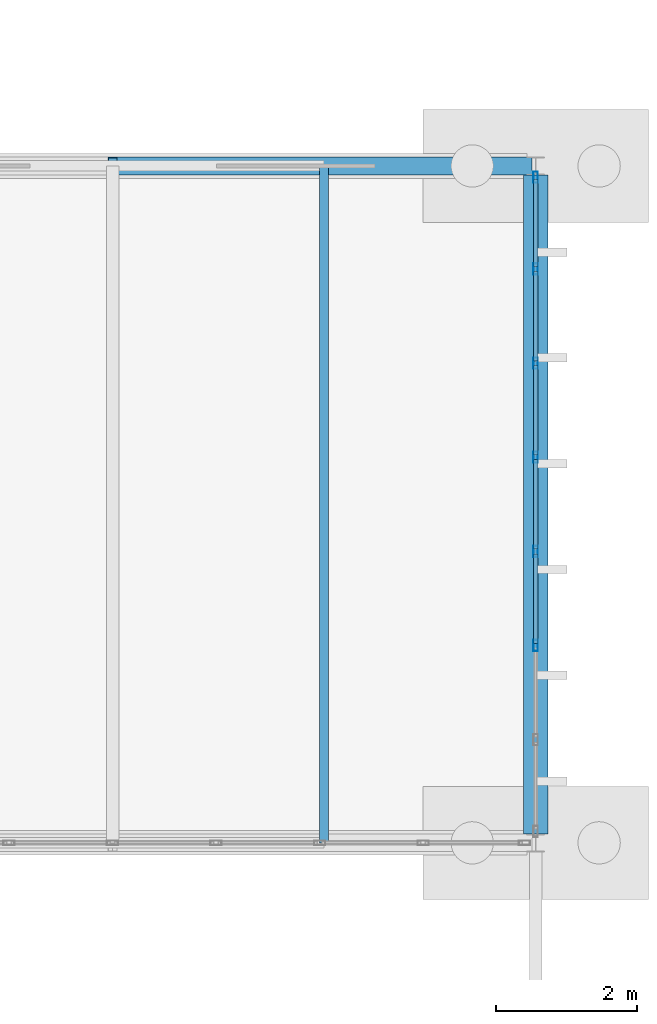
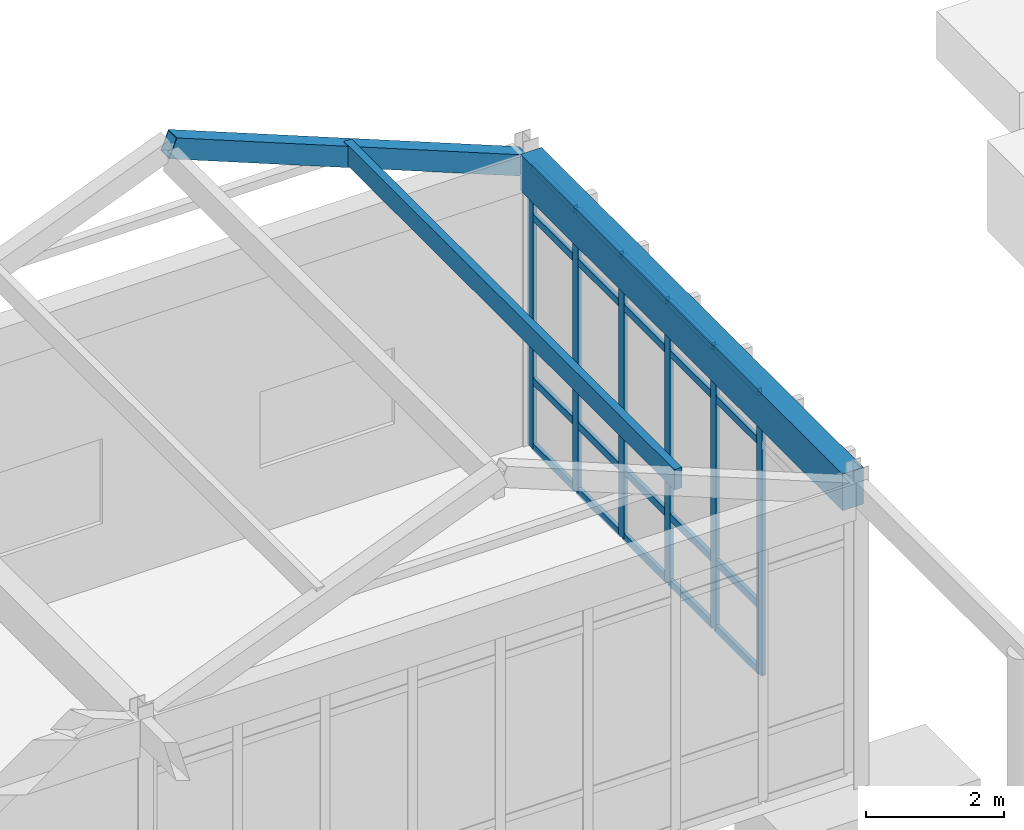
# One storey, part 71 of 188: 28 members, 1 beam, 1 element without a shape of its own.
"""IFC4 building model written with IfcOpenShell, lengths in metres."""

from ifc_helpers import new_model, si_unit, direction, frame, origin, origin_2d, place, context, subcontext, project, spatial, rectangle, hollow_rectangle, extrude, material, layer, layer_set, material_profile, profile_set, type_object, element, aggregate, save


model = new_model("IFC4")

# Units and contexts
model_context = context("Model", 3, precision=1e-05, world=origin(), true_north=direction((0.0, 1.0)))
body_context = subcontext(model_context, "Body", "Model", "MODEL_VIEW")
ifc_project = project(units=[si_unit("LENGTHUNIT", "METRE"), si_unit("AREAUNIT", "SQUARE_METRE"), si_unit("VOLUMEUNIT", "CUBIC_METRE"), si_unit("PLANEANGLEUNIT", "RADIAN"), si_unit("MASSUNIT", "GRAM", prefix="KILO")], contexts=[model_context])

# Site, building, storey
site_placement = place(None, origin())
site = spatial("IfcSite", under=ifc_project, at=site_placement, CompositionType="ELEMENT")
building_placement = place(site_placement, origin())
building = spatial("IfcBuilding", under=site, at=building_placement, Name="Pandanus Reach Market Hall", CompositionType="ELEMENT")
storey_placement = place(building_placement, origin())
storey = spatial("IfcBuildingStorey", under=building, at=storey_placement, Name="L00", CompositionType="ELEMENT", Elevation=0.0)

# Beam
ifc_material_1 = material(Name="Concrete N40 (40 MPa)", Category="concrete")
ifc_material_profile_1 = material_profile(ifc_material_1, rectangle(XDim=0.35009765625, YDim=0.64990234375, at=origin_2d()), Name="RC350x650", Category="LoadBearing")
ifc_profile_set_1 = profile_set([ifc_material_profile_1], Name="Concrete N40 (40 MPa)")
beam_type = type_object("IfcBeamType", Name="BM-RC350-E", PredefinedType="SPANDREL", material=ifc_profile_set_1)
beam_placement = place(storey_placement, frame((36.0, 76.925048828125, 4.8798828125), z_axis=(0.0, 1.0, 0.0), x_axis=(-1.0, 0.0, 0.0)))
element("IfcBeam", 1, at=beam_placement, inside=storey, type_object=beam_type, Name="Framing beam BM-RC350-E L00.1179", PredefinedType="SPANDREL", context=body_context, shape_type="SweptSolid", body=[
    extrude(rectangle(XDim=0.35009765625, YDim=0.64990234375, at=origin_2d()), origin(), (0.0, 0.0, 1.0), 9.349853515625),
])

# Curtain wall, members
ifc_material_2 = material(Name="Bronze anodised aluminium and low-E glass", Category="aluminium")
ifc_layer = layer(ifc_material_2, 0.159912109375, Name="CW-08")
ifc_layer_set = layer_set([ifc_layer], Name="Bronze anodised aluminium and low-E glass")
curtain_wall_type = type_object("IfcCurtainWallType", Name="CW-08", PredefinedType="NOTDEFINED", material=ifc_layer_set)
curtain_wall_placement = place(storey_placement, origin())
curtain_wall = element("IfcCurtainWall", 2, at=curtain_wall_placement, inside=storey, type_object=curtain_wall_type, Name="Glazed curtain wall CW-08 CW-0046", PredefinedType="NOTDEFINED")
ifc_material_3 = material(Name="Bronze anodised aluminium", Category="aluminium")
ifc_material_profile_2 = material_profile(ifc_material_3, hollow_rectangle(XDim=0.06494140625, YDim=0.159912109375, WallThickness=0.00390625, at=origin_2d()), Name="ALU65x160", Category="LoadBearing")
ifc_profile_set_2 = profile_set([ifc_material_profile_2], Name="Bronze anodised aluminium")
member_type_1 = type_object("IfcMemberType", Name="CW-M1", PredefinedType="MULLION", material=ifc_profile_set_2)
member_1_placement = place(storey_placement, frame((36.0, 79.59716796875, 0.0), z_axis=(0.0, 0.0, 1.0), x_axis=(-1.0, 0.0, 0.0)))
member_1 = element("IfcMember", 3, at=member_1_placement, type_object=member_type_1, Name="CW-08 mullion 3", PredefinedType="MULLION", context=body_context, shape_type="SweptSolid", body=[
    extrude(hollow_rectangle(XDim=0.06494140625, YDim=0.159912109375, WallThickness=0.00390625, at=origin_2d()), origin(), (0.0, 0.0, 1.0), 5.0),
])
member_2_placement = place(storey_placement, frame((36.0, 80.932373046875, 0.0), z_axis=(0.0, 0.0, 1.0), x_axis=(-1.0, 0.0, 0.0)))
member_2 = element("IfcMember", 4, at=member_2_placement, type_object=member_type_1, Name="CW-08 mullion 4", PredefinedType="MULLION", context=body_context, shape_type="SweptSolid", body=[
    extrude(hollow_rectangle(XDim=0.06494140625, YDim=0.159912109375, WallThickness=0.00390625, at=origin_2d()), origin(), (0.0, 0.0, 1.0), 5.0),
])
member_3_placement = place(storey_placement, frame((36.0, 82.267578125, 0.0), z_axis=(0.0, 0.0, 1.0), x_axis=(-1.0, 0.0, 0.0)))
member_3 = element("IfcMember", 5, at=member_3_placement, type_object=member_type_1, Name="CW-08 mullion 5", PredefinedType="MULLION", context=body_context, shape_type="SweptSolid", body=[
    extrude(hollow_rectangle(XDim=0.06494140625, YDim=0.159912109375, WallThickness=0.00390625, at=origin_2d()), origin(), (0.0, 0.0, 1.0), 5.0),
])
member_4_placement = place(storey_placement, frame((36.0, 83.602783203125, 0.0), z_axis=(0.0, 0.0, 1.0), x_axis=(-1.0, 0.0, 0.0)))
member_4 = element("IfcMember", 6, at=member_4_placement, type_object=member_type_1, Name="CW-08 mullion 6", PredefinedType="MULLION", context=body_context, shape_type="SweptSolid", body=[
    extrude(hollow_rectangle(XDim=0.06494140625, YDim=0.159912109375, WallThickness=0.00390625, at=origin_2d()), origin(), (0.0, 0.0, 1.0), 5.0),
])
member_5_placement = place(storey_placement, frame((36.0, 84.937744140625, 0.0), z_axis=(0.0, 0.0, 1.0), x_axis=(-1.0, 0.0, 0.0)))
member_5 = element("IfcMember", 7, at=member_5_placement, type_object=member_type_1, Name="CW-08 mullion 7", PredefinedType="MULLION", context=body_context, shape_type="SweptSolid", body=[
    extrude(hollow_rectangle(XDim=0.06494140625, YDim=0.159912109375, WallThickness=0.00390625, at=origin_2d()), origin(), (0.0, 0.0, 1.0), 5.0),
])
member_6_placement = place(storey_placement, frame((36.0, 86.240478515625, 0.0), z_axis=(0.0, 0.0, 1.0), x_axis=(-1.0, 0.0, 0.0)))
member_6 = element("IfcMember", 8, at=member_6_placement, type_object=member_type_1, Name="CW-08 mullion 8", PredefinedType="MULLION", context=body_context, shape_type="SweptSolid", body=[
    extrude(hollow_rectangle(XDim=0.06494140625, YDim=0.159912109375, WallThickness=0.00390625, at=origin_2d()), origin(), (0.0, 0.0, 1.0), 5.0),
])
ifc_material_profile_3 = material_profile(ifc_material_3, hollow_rectangle(XDim=0.06494140625, YDim=0.1298828125, WallThickness=0.00390625, at=origin_2d()), Name="ALU65x130", Category="LoadBearing")
ifc_profile_set_3 = profile_set([ifc_material_profile_3], Name="Bronze anodised aluminium")
member_type_2 = type_object("IfcMemberType", Name="CW-T1", PredefinedType="USERDEFINED", material=ifc_profile_set_3)
member_7_placement = place(storey_placement, frame((36.0, 79.6298828125, 0.032470703125), z_axis=(0.0, 1.0, 0.0), x_axis=(-1.0, 0.0, 0.0)))
member_7 = element("IfcMember", 9, at=member_7_placement, type_object=member_type_2, Name="CW-08 transom 3.1", ObjectType="TRANSOM", PredefinedType="USERDEFINED", context=body_context, shape_type="SweptSolid", body=[
    extrude(hollow_rectangle(XDim=0.06494140625, YDim=0.1298828125, WallThickness=0.00390625, at=origin_2d()), origin(), (0.0, 0.0, 1.0), 1.27001953125),
])
member_8_placement = place(storey_placement, frame((36.0, 79.6298828125, 1.199951171875), z_axis=(0.0, 1.0, 0.0), x_axis=(-1.0, 0.0, 0.0)))
member_8 = element("IfcMember", 10, at=member_8_placement, type_object=member_type_2, Name="CW-08 transom 3.2", ObjectType="TRANSOM", PredefinedType="USERDEFINED", context=body_context, shape_type="SweptSolid", body=[
    extrude(hollow_rectangle(XDim=0.06494140625, YDim=0.1298828125, WallThickness=0.00390625, at=origin_2d()), origin(), (0.0, 0.0, 1.0), 1.27001953125),
])
member_9_placement = place(storey_placement, frame((36.0, 79.6298828125, 4.10009765625), z_axis=(0.0, 1.0, 0.0), x_axis=(-1.0, 0.0, 0.0)))
member_9 = element("IfcMember", 11, at=member_9_placement, type_object=member_type_2, Name="CW-08 transom 3.3", ObjectType="TRANSOM", PredefinedType="USERDEFINED", context=body_context, shape_type="SweptSolid", body=[
    extrude(hollow_rectangle(XDim=0.06494140625, YDim=0.1298828125, WallThickness=0.00390625, at=origin_2d()), origin(), (0.0, 0.0, 1.0), 1.27001953125),
])
member_10_placement = place(storey_placement, frame((36.0, 79.6298828125, 4.967529296875), z_axis=(0.0, 1.0, 0.0), x_axis=(-1.0, 0.0, 0.0)))
member_10 = element("IfcMember", 12, at=member_10_placement, type_object=member_type_2, Name="CW-08 transom 3.4", ObjectType="TRANSOM", PredefinedType="USERDEFINED", context=body_context, shape_type="SweptSolid", body=[
    extrude(hollow_rectangle(XDim=0.06494140625, YDim=0.1298828125, WallThickness=0.00390625, at=origin_2d()), origin(), (0.0, 0.0, 1.0), 1.27001953125),
])
member_11_placement = place(storey_placement, frame((36.0, 80.96484375, 0.032470703125), z_axis=(0.0, 1.0, 0.0), x_axis=(-1.0, 0.0, 0.0)))
member_11 = element("IfcMember", 13, at=member_11_placement, type_object=member_type_2, Name="CW-08 transom 4.1", ObjectType="TRANSOM", PredefinedType="USERDEFINED", context=body_context, shape_type="SweptSolid", body=[
    extrude(hollow_rectangle(XDim=0.06494140625, YDim=0.1298828125, WallThickness=0.00390625, at=origin_2d()), origin(), (0.0, 0.0, 1.0), 1.270263671875),
])
member_12_placement = place(storey_placement, frame((36.0, 80.96484375, 1.199951171875), z_axis=(0.0, 1.0, 0.0), x_axis=(-1.0, 0.0, 0.0)))
member_12 = element("IfcMember", 14, at=member_12_placement, type_object=member_type_2, Name="CW-08 transom 4.2", ObjectType="TRANSOM", PredefinedType="USERDEFINED", context=body_context, shape_type="SweptSolid", body=[
    extrude(hollow_rectangle(XDim=0.06494140625, YDim=0.1298828125, WallThickness=0.00390625, at=origin_2d()), origin(), (0.0, 0.0, 1.0), 1.270263671875),
])
member_13_placement = place(storey_placement, frame((36.0, 80.96484375, 4.10009765625), z_axis=(0.0, 1.0, 0.0), x_axis=(-1.0, 0.0, 0.0)))
member_13 = element("IfcMember", 15, at=member_13_placement, type_object=member_type_2, Name="CW-08 transom 4.3", ObjectType="TRANSOM", PredefinedType="USERDEFINED", context=body_context, shape_type="SweptSolid", body=[
    extrude(hollow_rectangle(XDim=0.06494140625, YDim=0.1298828125, WallThickness=0.00390625, at=origin_2d()), origin(), (0.0, 0.0, 1.0), 1.270263671875),
])
member_14_placement = place(storey_placement, frame((36.0, 80.96484375, 4.967529296875), z_axis=(0.0, 1.0, 0.0), x_axis=(-1.0, 0.0, 0.0)))
member_14 = element("IfcMember", 16, at=member_14_placement, type_object=member_type_2, Name="CW-08 transom 4.4", ObjectType="TRANSOM", PredefinedType="USERDEFINED", context=body_context, shape_type="SweptSolid", body=[
    extrude(hollow_rectangle(XDim=0.06494140625, YDim=0.1298828125, WallThickness=0.00390625, at=origin_2d()), origin(), (0.0, 0.0, 1.0), 1.270263671875),
])
member_15_placement = place(storey_placement, frame((36.0, 82.300048828125, 0.032470703125), z_axis=(0.0, 1.0, 0.0), x_axis=(-1.0, 0.0, 0.0)))
member_15 = element("IfcMember", 17, at=member_15_placement, type_object=member_type_2, Name="CW-08 transom 5.1", ObjectType="TRANSOM", PredefinedType="USERDEFINED", context=body_context, shape_type="SweptSolid", body=[
    extrude(hollow_rectangle(XDim=0.06494140625, YDim=0.1298828125, WallThickness=0.00390625, at=origin_2d()), origin(), (0.0, 0.0, 1.0), 1.270263671875),
])
member_16_placement = place(storey_placement, frame((36.0, 82.300048828125, 1.199951171875), z_axis=(0.0, 1.0, 0.0), x_axis=(-1.0, 0.0, 0.0)))
member_16 = element("IfcMember", 18, at=member_16_placement, type_object=member_type_2, Name="CW-08 transom 5.2", ObjectType="TRANSOM", PredefinedType="USERDEFINED", context=body_context, shape_type="SweptSolid", body=[
    extrude(hollow_rectangle(XDim=0.06494140625, YDim=0.1298828125, WallThickness=0.00390625, at=origin_2d()), origin(), (0.0, 0.0, 1.0), 1.270263671875),
])
member_17_placement = place(storey_placement, frame((36.0, 82.300048828125, 4.10009765625), z_axis=(0.0, 1.0, 0.0), x_axis=(-1.0, 0.0, 0.0)))
member_17 = element("IfcMember", 19, at=member_17_placement, type_object=member_type_2, Name="CW-08 transom 5.3", ObjectType="TRANSOM", PredefinedType="USERDEFINED", context=body_context, shape_type="SweptSolid", body=[
    extrude(hollow_rectangle(XDim=0.06494140625, YDim=0.1298828125, WallThickness=0.00390625, at=origin_2d()), origin(), (0.0, 0.0, 1.0), 1.270263671875),
])
member_18_placement = place(storey_placement, frame((36.0, 82.300048828125, 4.967529296875), z_axis=(0.0, 1.0, 0.0), x_axis=(-1.0, 0.0, 0.0)))
member_18 = element("IfcMember", 20, at=member_18_placement, type_object=member_type_2, Name="CW-08 transom 5.4", ObjectType="TRANSOM", PredefinedType="USERDEFINED", context=body_context, shape_type="SweptSolid", body=[
    extrude(hollow_rectangle(XDim=0.06494140625, YDim=0.1298828125, WallThickness=0.00390625, at=origin_2d()), origin(), (0.0, 0.0, 1.0), 1.270263671875),
])
member_19_placement = place(storey_placement, frame((36.0, 83.63525390625, 0.032470703125), z_axis=(0.0, 1.0, 0.0), x_axis=(-1.0, 0.0, 0.0)))
member_19 = element("IfcMember", 21, at=member_19_placement, type_object=member_type_2, Name="CW-08 transom 6.1", ObjectType="TRANSOM", PredefinedType="USERDEFINED", context=body_context, shape_type="SweptSolid", body=[
    extrude(hollow_rectangle(XDim=0.06494140625, YDim=0.1298828125, WallThickness=0.00390625, at=origin_2d()), origin(), (0.0, 0.0, 1.0), 1.27001953125),
])
member_20_placement = place(storey_placement, frame((36.0, 83.63525390625, 1.199951171875), z_axis=(0.0, 1.0, 0.0), x_axis=(-1.0, 0.0, 0.0)))
member_20 = element("IfcMember", 22, at=member_20_placement, type_object=member_type_2, Name="CW-08 transom 6.2", ObjectType="TRANSOM", PredefinedType="USERDEFINED", context=body_context, shape_type="SweptSolid", body=[
    extrude(hollow_rectangle(XDim=0.06494140625, YDim=0.1298828125, WallThickness=0.00390625, at=origin_2d()), origin(), (0.0, 0.0, 1.0), 1.27001953125),
])
member_21_placement = place(storey_placement, frame((36.0, 83.63525390625, 4.10009765625), z_axis=(0.0, 1.0, 0.0), x_axis=(-1.0, 0.0, 0.0)))
member_21 = element("IfcMember", 23, at=member_21_placement, type_object=member_type_2, Name="CW-08 transom 6.3", ObjectType="TRANSOM", PredefinedType="USERDEFINED", context=body_context, shape_type="SweptSolid", body=[
    extrude(hollow_rectangle(XDim=0.06494140625, YDim=0.1298828125, WallThickness=0.00390625, at=origin_2d()), origin(), (0.0, 0.0, 1.0), 1.27001953125),
])
member_22_placement = place(storey_placement, frame((36.0, 83.63525390625, 4.967529296875), z_axis=(0.0, 1.0, 0.0), x_axis=(-1.0, 0.0, 0.0)))
member_22 = element("IfcMember", 24, at=member_22_placement, type_object=member_type_2, Name="CW-08 transom 6.4", ObjectType="TRANSOM", PredefinedType="USERDEFINED", context=body_context, shape_type="SweptSolid", body=[
    extrude(hollow_rectangle(XDim=0.06494140625, YDim=0.1298828125, WallThickness=0.00390625, at=origin_2d()), origin(), (0.0, 0.0, 1.0), 1.27001953125),
])
member_23_placement = place(storey_placement, frame((36.0, 84.970458984375, 0.032470703125), z_axis=(0.0, 1.0, 0.0), x_axis=(-1.0, 0.0, 0.0)))
member_23 = element("IfcMember", 25, at=member_23_placement, type_object=member_type_2, Name="CW-08 transom 7.1", ObjectType="TRANSOM", PredefinedType="USERDEFINED", context=body_context, shape_type="SweptSolid", body=[
    extrude(hollow_rectangle(XDim=0.06494140625, YDim=0.1298828125, WallThickness=0.00390625, at=origin_2d()), origin(), (0.0, 0.0, 1.0), 1.237548828125),
])
member_24_placement = place(storey_placement, frame((36.0, 84.970458984375, 1.199951171875), z_axis=(0.0, 1.0, 0.0), x_axis=(-1.0, 0.0, 0.0)))
member_24 = element("IfcMember", 26, at=member_24_placement, type_object=member_type_2, Name="CW-08 transom 7.2", ObjectType="TRANSOM", PredefinedType="USERDEFINED", context=body_context, shape_type="SweptSolid", body=[
    extrude(hollow_rectangle(XDim=0.06494140625, YDim=0.1298828125, WallThickness=0.00390625, at=origin_2d()), origin(), (0.0, 0.0, 1.0), 1.237548828125),
])
member_25_placement = place(storey_placement, frame((36.0, 84.970458984375, 4.10009765625), z_axis=(0.0, 1.0, 0.0), x_axis=(-1.0, 0.0, 0.0)))
member_25 = element("IfcMember", 27, at=member_25_placement, type_object=member_type_2, Name="CW-08 transom 7.3", ObjectType="TRANSOM", PredefinedType="USERDEFINED", context=body_context, shape_type="SweptSolid", body=[
    extrude(hollow_rectangle(XDim=0.06494140625, YDim=0.1298828125, WallThickness=0.00390625, at=origin_2d()), origin(), (0.0, 0.0, 1.0), 1.237548828125),
])
member_26_placement = place(storey_placement, frame((36.0, 84.970458984375, 4.967529296875), z_axis=(0.0, 1.0, 0.0), x_axis=(-1.0, 0.0, 0.0)))
member_26 = element("IfcMember", 28, at=member_26_placement, type_object=member_type_2, Name="CW-08 transom 7.4", ObjectType="TRANSOM", PredefinedType="USERDEFINED", context=body_context, shape_type="SweptSolid", body=[
    extrude(hollow_rectangle(XDim=0.06494140625, YDim=0.1298828125, WallThickness=0.00390625, at=origin_2d()), origin(), (0.0, 0.0, 1.0), 1.237548828125),
])
aggregate(curtain_wall, [member_1, member_2, member_3, member_4, member_5, member_6, member_7, member_8, member_9, member_10, member_11, member_12, member_13, member_14, member_15, member_16, member_17, member_18, member_19, member_20, member_21, member_22, member_23, member_24, member_25, member_26])

# Members
ifc_material_4 = material(Name="Glulam timber GL17", Category="wood")
ifc_material_profile_4 = material_profile(ifc_material_4, rectangle(XDim=0.1298828125, YDim=0.360107421875, at=origin_2d()), Name="GL130x360", Category="LoadBearing")
ifc_profile_set_4 = profile_set([ifc_material_profile_4], Name="Glulam timber GL17")
member_type_3 = type_object("IfcMemberType", Name="PR-GL130-E", PredefinedType="PURLIN", material=ifc_profile_set_4)
member_27_placement = place(storey_placement, frame((33.0, 76.800048828125, 6.189697265625), z_axis=(0.0, 1.0, 0.0), x_axis=(-1.0, 0.0, 0.0)))
element("IfcMember", 29, at=member_27_placement, inside=storey, type_object=member_type_3, Name="Gable slope glulam purlin R3.B3E", PredefinedType="PURLIN", context=body_context, shape_type="SweptSolid", body=[
    extrude(rectangle(XDim=0.1298828125, YDim=0.360107421875, at=origin_2d()), origin(), (0.0, 0.0, 1.0), 9.599853515625),
])
ifc_material_5 = material(Name="Steel Grade 350 (350 MPa)", Category="steel")
ifc_material_profile_5 = material_profile(ifc_material_5, hollow_rectangle(XDim=0.25, YDim=0.35009765625, WallThickness=0.012451171875, at=origin_2d()), Name="350x250x12.5RHS", Category="LoadBearing")
ifc_profile_set_5 = profile_set([ifc_material_profile_5], Name="Steel Grade 350 (350 MPa)")
member_type_4 = type_object("IfcMemberType", Name="RF-RHS350-E", PredefinedType="RAFTER", material=ifc_profile_set_5)
member_28_placement = place(storey_placement, frame((30.0, 86.39990234375, 7.3486328125), z_axis=(0.927845665363, 0.0, -0.372964369971), x_axis=(0.0, 1.0, 0.0)))
element("IfcMember", 30, at=member_28_placement, inside=storey, type_object=member_type_4, Name="Steep gable rafter R3.B3E", PredefinedType="RAFTER", context=body_context, shape_type="SweptSolid", body=[
    extrude(hollow_rectangle(XDim=0.25, YDim=0.35009765625, WallThickness=0.012451171875, at=origin_2d()), origin(), (0.0, 0.0, 1.0), 6.337158203125),
])

save(model, "model.ifc")
